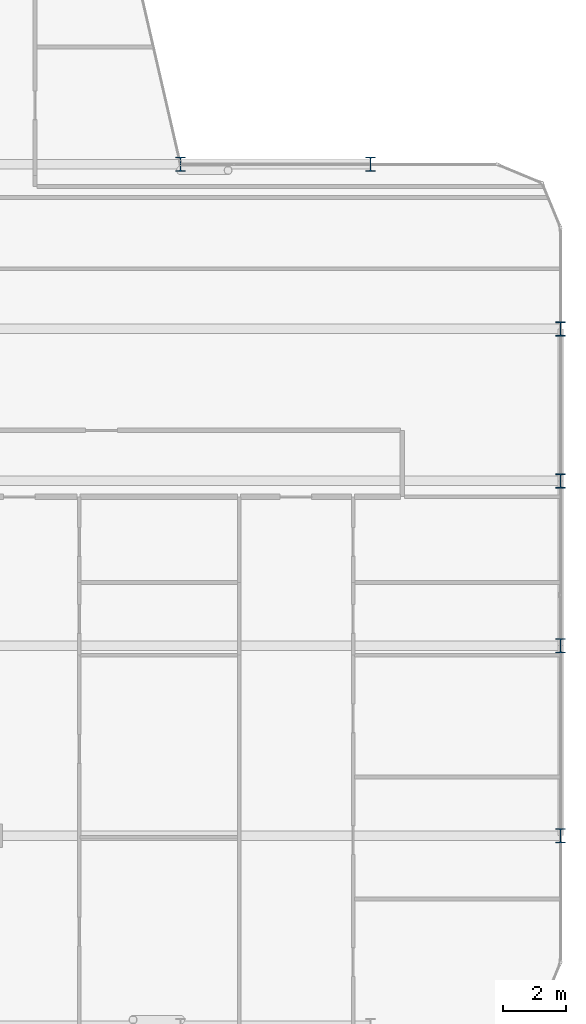
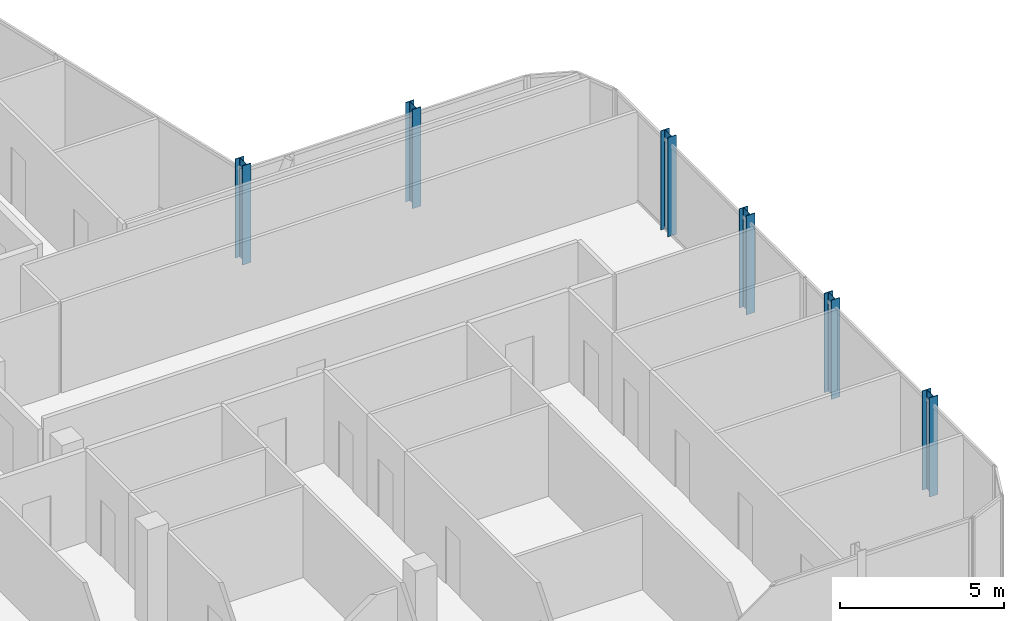
# One storey, part 2 of 29: 6 columns.
"""IFC4 building model written with IfcOpenShell, lengths in metres."""

from ifc_helpers import new_model, si_unit, direction, frame, origin, origin_2d, place, context, subcontext, project, spatial, i_section, extrude, material, material_profile, profile_set, type_object, element, save


model = new_model("IFC4")

# Units and contexts
model_context = context("Model", 3, precision=1e-05, world=origin(), true_north=direction((0.0, 1.0)))
body_context = subcontext(model_context, "Body", "Model", "MODEL_VIEW")
ifc_project = project(units=[si_unit("LENGTHUNIT", "METRE"), si_unit("AREAUNIT", "SQUARE_METRE"), si_unit("VOLUMEUNIT", "CUBIC_METRE"), si_unit("PLANEANGLEUNIT", "RADIAN"), si_unit("MASSUNIT", "GRAM", prefix="KILO")], contexts=[model_context])

# Site, building, storey
site_placement = place(None, origin())
site = spatial("IfcSite", under=ifc_project, at=site_placement, CompositionType="ELEMENT")
building_placement = place(site_placement, origin())
building = spatial("IfcBuilding", under=site, at=building_placement, Name="Keshet Zoharim Tower", CompositionType="ELEMENT")
storey_placement = place(building_placement, frame((0.0, 0.0, 230.199951171875)))
storey = spatial("IfcBuildingStorey", under=building, at=storey_placement, Name="L57", CompositionType="ELEMENT", Elevation=230.199951171875)

# Columns
ifc_material = material(Name="Steel S355", Category="steel")
ifc_material_profile = material_profile(ifc_material, i_section(OverallWidth=0.300048828125, OverallDepth=0.449951171875, WebThickness=0.013916015625, FlangeThickness=0.02587890625, FilletRadius=0.027099609375, at=origin_2d()), Name="HEB450")
ifc_profile_set = profile_set([ifc_material_profile], Name="Steel S355")
column_type = type_object("IfcColumnType", Name="COL-HEB450", PredefinedType="COLUMN", material=ifc_profile_set)
for number, where, z_axis, x_axis, name in (
    (1, (45.0, 27.89990234375, 0.0), (0.0, 0.0, 1.0), (1.0, 0.0, 0.0), "L57 Column 8F"),
    (2, (51.0, 27.89990234375, 0.0), (0.0, 0.0, 1.0), (1.0, 0.0, 0.0), "L57 Column 9F"),
    (3, (57.0, 6.699951171875, 0.0), (0.0, 0.0, 1.0), (1.0, 0.0, 0.0), "L57 Column 10B"),
    (4, (57.0, 12.699951171875, 0.0), (0.0, 0.0, 1.0), (1.0, 0.0, 0.0), "L57 Column 10C"),
    (5, (57.0, 17.89990234375, 0.0), (0.0, 0.0, 1.0), (1.0, 0.0, 0.0), "L57 Column 10D"),
    (6, (57.0, 22.699951171875, 0.0), (0.0, 0.0, 1.0), (1.0, 0.0, 0.0), "L57 Column 10E"),
):
    element("IfcColumn", number, at=place(storey_placement, frame(where, z_axis=z_axis, x_axis=x_axis)), inside=storey, type_object=column_type, Name=name, PredefinedType="COLUMN", context=body_context, shape_type="SweptSolid", body=[
        extrude(i_section(OverallWidth=0.300048828125, OverallDepth=0.449951171875, WebThickness=0.013916015625, FlangeThickness=0.02587890625, FilletRadius=0.027099609375, at=origin_2d()), origin(), (0.0, 0.0, 1.0), 3.699951171875),
    ])

save(model, "model.ifc")
